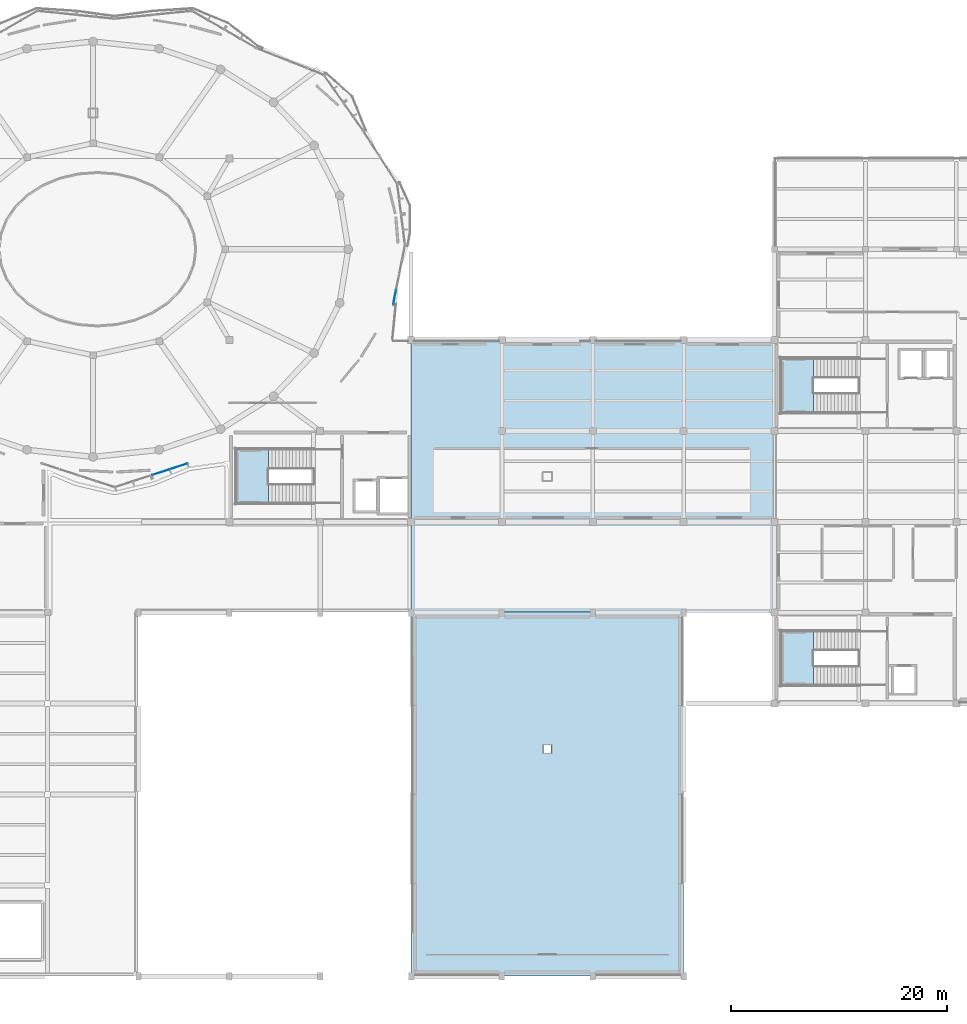
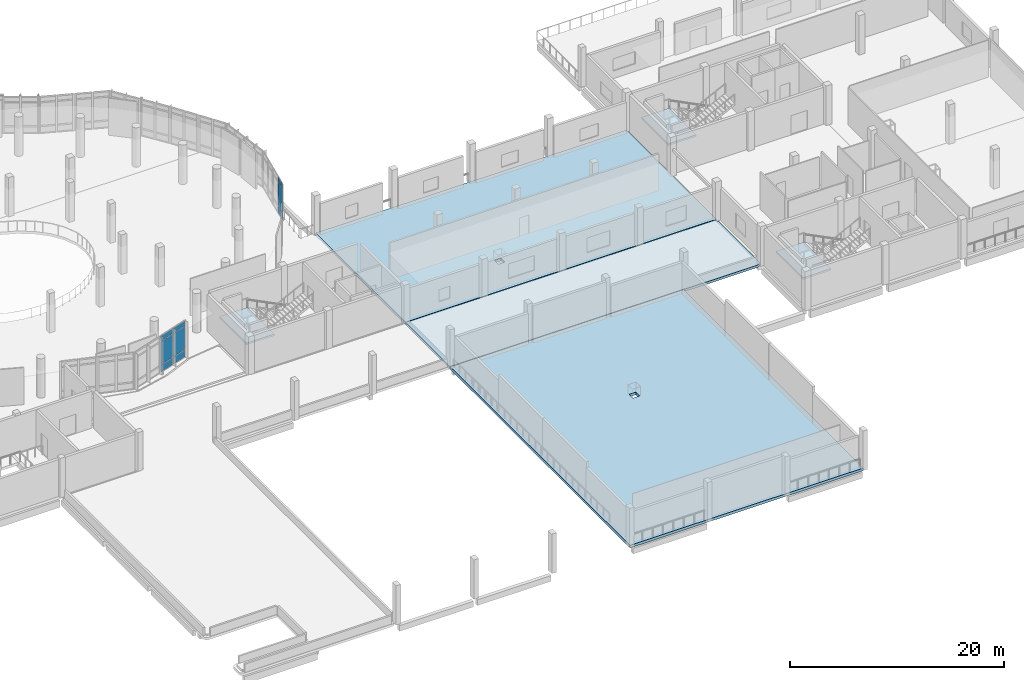
# One storey, part 22 of 46: 9 plates, 6 slabs, 5 elements without a shape of their own.
"""IFC4 building model written with IfcOpenShell, lengths in metres."""

import ifcopenshell
import ifcopenshell.guid

model = None  # the IFC model being written
_history = None  # IfcOwnerHistory: only IFC2X3 demands one
_inside = {}  # id of a spatial element -> (the spatial element, [elements in it])
_under = {}  # id of a project, library or spatial element -> (it, [spatial elements below it])
_declared = {}  # id of a project -> (the project, [libraries it declares])
_typed = {}  # id of a type object -> (the type object, [elements of that type])
_made_of = {}  # id of a material, layer set ... -> (it, [elements and type objects made of it])


def new_model(schema):
    """Start an empty IFC model of exactly this schema.

    Asked for "IFC4X3", IfcOpenShell would pick the latest addendum, in which some entities
    have other attributes; the version numbers below select the first issue.
    IFC2X3 requires an IfcOwnerHistory on every rooted entity: one is made here for all.
    """
    global model, _history
    if schema == "IFC4X3":
        model = ifcopenshell.file(schema_version=(4, 3, 0, 0))
    else:
        model = ifcopenshell.file(schema=schema)
    _inside.clear()
    _under.clear()
    _declared.clear()
    _typed.clear()
    _made_of.clear()
    _history = None
    if model.schema == "IFC2X3":
        org = make("IfcOrganization", Name="unknown")
        user = make(
            "IfcPersonAndOrganization",
            ThePerson=make("IfcPerson", FamilyName="unknown"),
            TheOrganization=org,
        )
        app = make(
            "IfcApplication",
            ApplicationDeveloper=org,
            Version="unknown",
            ApplicationFullName="unknown",
            ApplicationIdentifier="unknown",
        )
        _history = make(
            "IfcOwnerHistory",
            OwningUser=user,
            OwningApplication=app,
            ChangeAction="ADDED",
            CreationDate=0,
        )
    return model


def make(cls, **values):
    """One entity of the class cls with the attributes given. An attribute that is None is left unset."""
    return model.create_entity(
        cls, **{name: value for name, value in values.items() if value is not None}
    )


def rooted(cls, **values):
    """An entity with a GlobalId (a new one), such as an element, a storey or a relation."""
    return make(cls, GlobalId=ifcopenshell.guid.new(), OwnerHistory=_history, **values)


def si_unit(unit_type, name, prefix=None):
    """IfcSIUnit, for example si_unit("LENGTHUNIT", "METRE", prefix="MILLI")."""
    return make("IfcSIUnit", UnitType=unit_type, Prefix=prefix, Name=name)


def derived_unit(unit_type, elements):
    """IfcDerivedUnit: a product of units, each with its exponent."""
    return make(
        "IfcDerivedUnit",
        Elements=[
            make("IfcDerivedUnitElement", Unit=unit, Exponent=power)
            for unit, power in elements
        ],
        UnitType=unit_type,
    )


def assignment(units):
    """IfcUnitAssignment: the units of a project."""
    return None if units is None else make("IfcUnitAssignment", Units=units)


def point(xyz):
    """IfcCartesianPoint."""
    return None if xyz is None else make("IfcCartesianPoint", Coordinates=xyz)


def direction(xyz):
    """IfcDirection."""
    return None if xyz is None else make("IfcDirection", DirectionRatios=xyz)


def frame(location, z_axis=None, x_axis=None):
    """IfcAxis2Placement3D, a coordinate frame: its origin and axes. An axis left out is left unset."""
    return make(
        "IfcAxis2Placement3D",
        Location=point(location),
        Axis=direction(z_axis),
        RefDirection=direction(x_axis),
    )


def frame_2d(location, x_axis=None):
    """IfcAxis2Placement2D, a coordinate frame in the plane: its origin and x axis."""
    return make(
        "IfcAxis2Placement2D", Location=point(location), RefDirection=direction(x_axis)
    )


def origin():
    """The frame at (0, 0, 0) with its axes left unset."""
    return frame((0.0, 0.0, 0.0))


def origin_2d():
    """The frame at (0, 0) in the plane with its x axis left unset."""
    return frame_2d((0.0, 0.0))


def place(relative_to, where):
    """IfcLocalPlacement: puts the frame where relative to a parent placement (None: the world)."""
    return make(
        "IfcLocalPlacement", PlacementRelTo=relative_to, RelativePlacement=where
    )


def context(
    kind, dimensions, precision=None, world=None, true_north=None, identifier=None
):
    """IfcGeometricRepresentationContext, for example the 3D "Model" context."""
    return make(
        "IfcGeometricRepresentationContext",
        ContextIdentifier=identifier,
        ContextType=kind,
        CoordinateSpaceDimension=dimensions,
        Precision=precision,
        WorldCoordinateSystem=world,
        TrueNorth=true_north,
    )


def subcontext(parent, identifier, kind, view, scale=None):
    """IfcGeometricRepresentationSubContext, for example "Body" below "Model"."""
    return make(
        "IfcGeometricRepresentationSubContext",
        ContextIdentifier=identifier,
        ContextType=kind,
        ParentContext=parent,
        TargetScale=scale,
        TargetView=view,
    )


def project(units=None, contexts=None):
    """IfcProject with its units and contexts."""
    return rooted(
        "IfcProject",
        Name="project",
        RepresentationContexts=contexts,
        UnitsInContext=assignment(units),
    )


def spatial(cls, under=None, at=None, **own):
    """A site, building, storey or space (cls), placed at a placement, below another one or the project."""
    s = rooted(cls, ObjectPlacement=at, **own)
    if under is not None:
        _under.setdefault(under.id(), (under, []))[1].append(s)
    return s


def polyline(points):
    """IfcPolyline through the points."""
    return make("IfcPolyline", Points=[point(p) for p in points])


def profile(cls, at=None, kind="AREA", **sizes):
    """A parametric profile (cls). Its sizes go by their IFC names, for example OverallWidth=200.0."""
    return make(cls, ProfileType=kind, Position=at, **sizes)


def rectangle(**sizes):
    """IfcRectangleProfileDef."""
    return profile("IfcRectangleProfileDef", **sizes)


def outline(outer, holes=None, kind="AREA"):
    """IfcArbitraryClosedProfileDef: a profile drawn as a closed curve; with holes, ...WithVoids."""
    if holes is None:
        return make("IfcArbitraryClosedProfileDef", ProfileType=kind, OuterCurve=outer)
    return make(
        "IfcArbitraryProfileDefWithVoids",
        ProfileType=kind,
        OuterCurve=outer,
        InnerCurves=holes,
    )


def extrude(swept, where, along, depth):
    """IfcExtrudedAreaSolid: the profile swept, set in the frame where, extruded along a direction by depth."""
    return make(
        "IfcExtrudedAreaSolid",
        SweptArea=swept,
        Position=where,
        ExtrudedDirection=direction(along),
        Depth=depth,
    )


def shape(context_of_items, identifier, shape_type, items):
    """IfcShapeRepresentation: the items that make up one representation, for example the "Body"."""
    return make(
        "IfcShapeRepresentation",
        ContextOfItems=context_of_items,
        RepresentationIdentifier=identifier,
        RepresentationType=shape_type,
        Items=items,
    )


def material(Name=None, Category=None):
    """IfcMaterial."""
    return make("IfcMaterial", Name=Name, Category=Category)


def layer(
    of_material, thickness, ventilated=None, Name=None, Category=None, Priority=None
):
    """IfcMaterialLayer: one layer of a wall or slab, of a material (None: an air gap)."""
    return make(
        "IfcMaterialLayer",
        Material=of_material,
        LayerThickness=thickness,
        IsVentilated=ventilated,
        Name=Name,
        Category=Category,
        Priority=Priority,
    )


def layer_set(layers, Name=None):
    """IfcMaterialLayerSet."""
    return make("IfcMaterialLayerSet", MaterialLayers=layers, LayerSetName=Name)


def made_of(thing, what):
    """Note that an element or type object is made of a material, layer set ...; save() writes the relation."""
    if what is not None:
        _made_of.setdefault(what.id(), (what, []))[1].append(thing)
    return thing


def type_object(cls, material=None, **own):
    """A type object (cls), such as IfcWallType, which elements share."""
    return made_of(rooted(cls, **own), material)


def element(
    cls,
    number,
    at=None,
    inside=None,
    cuts=None,
    type_object=None,
    material=None,
    context=None,
    identifier="Body",
    shape_type=None,
    held_by="IfcProductDefinitionShape",
    body=None,
    shapes=None,
    **own,
):
    """One element of the class cls, such as IfcWall. Its Tag is "e" and its number.

    at: its placement. inside: the storey or other place that contains it. cuts: it is an
    opening in that element (IfcRelVoidsElement). A single representation is given by context,
    identifier, shape_type and body (its items); several are given by shapes. held_by: the class
    of the entity that holds the representations. save() writes the other relations.
    """
    e = rooted(cls, Tag="e%d" % number, ObjectPlacement=at, **own)
    if body is not None:
        shapes = [shape(context, identifier, shape_type, body)]
    if shapes is not None:
        e.Representation = make(held_by, Representations=shapes)
    if inside is not None:
        _inside.setdefault(inside.id(), (inside, []))[1].append(e)
    if cuts is not None:
        rooted(
            "IfcRelVoidsElement", RelatingBuildingElement=cuts, RelatedOpeningElement=e
        )
    if type_object is not None:
        _typed.setdefault(type_object.id(), (type_object, []))[1].append(e)
    return made_of(e, material)


def aggregate(whole, parts):
    """IfcRelAggregates: a whole, such as a stair, and the parts it consists of."""
    return rooted("IfcRelAggregates", RelatingObject=whole, RelatedObjects=parts)


def save(model, path):
    """Write the relations noted so far, then the file.

    IfcRelAggregates (storeys below a building ...), IfcRelContainedInSpatialStructure (elements
    in a storey), IfcRelDefinesByType, IfcRelAssociatesMaterial and IfcRelDeclares: one each for
    every whole, place, type object, material and project.
    """
    for whole, parts in _under.values():
        aggregate(whole, parts)
    for where, things in _inside.values():
        rooted(
            "IfcRelContainedInSpatialStructure",
            RelatedElements=things,
            RelatingStructure=where,
        )
    for kind, things in _typed.values():
        rooted("IfcRelDefinesByType", RelatedObjects=things, RelatingType=kind)
    for what, things in _made_of.values():
        rooted("IfcRelAssociatesMaterial", RelatedObjects=things, RelatingMaterial=what)
    for by, libraries in _declared.values():
        rooted("IfcRelDeclares", RelatingContext=by, RelatedDefinitions=libraries)
    model.write(path)


model = new_model("IFC4")

# Units and contexts
model_context = context("Model", 3, precision=1e-05, world=origin(), true_north=direction((0.0, 1.0)))
body_context = subcontext(model_context, "Body", "Model", "MODEL_VIEW")
ifc_project = project(units=[si_unit("LENGTHUNIT", "METRE"), si_unit("AREAUNIT", "SQUARE_METRE"), si_unit("VOLUMEUNIT", "CUBIC_METRE"), si_unit("PLANEANGLEUNIT", "RADIAN"), si_unit("MASSUNIT", "GRAM", prefix="KILO"), derived_unit("THERMALTRANSMITTANCEUNIT", [(si_unit("POWERUNIT", "WATT"), 1), (si_unit("LENGTHUNIT", "METRE"), -2), (si_unit("THERMODYNAMICTEMPERATUREUNIT", "KELVIN"), -1)])], contexts=[model_context])

# Site, building, storey
site_placement = place(None, origin())
site = spatial("IfcSite", under=ifc_project, at=site_placement, CompositionType="ELEMENT")
building_placement = place(site_placement, origin())
building = spatial("IfcBuilding", under=site, at=building_placement, Name="Elbkamm Science Centre", CompositionType="ELEMENT")
storey_placement = place(building_placement, frame((0.0, 0.0, 9.89990234375)))
storey = spatial("IfcBuildingStorey", under=building, at=storey_placement, Name="L02", CompositionType="ELEMENT", Elevation=9.89990234375)

# Curtain wall, plates
ifc_material_1 = material(Name="Powder-coated aluminium and triple low-E glazing", Category="aluminium")
ifc_layer_1 = layer(ifc_material_1, 0.159912109375)
ifc_layer_set_1 = layer_set([ifc_layer_1], Name="Powder-coated aluminium and triple low-E glazing")
curtain_wall_type_1 = type_object("IfcCurtainWallType", Name="CW-UNIT-3520x4220", PredefinedType="USERDEFINED", material=ifc_layer_set_1)
curtain_wall_1_placement = place(storey_placement, origin())
curtain_wall_1 = element("IfcCurtainWall", 1, at=curtain_wall_1_placement, inside=storey, type_object=curtain_wall_type_1, Name="L02 Unitised Curtain Wall 043", ObjectType="UNITISED CURTAIN WALL", PredefinedType="USERDEFINED")
ifc_material_2 = material(Name="Triple solar-control insulated safety glass", Category="glass")
ifc_layer_2 = layer(ifc_material_2, 0.0400390625)
ifc_layer_set_2 = layer_set([ifc_layer_2], Name="Triple solar-control insulated safety glass")
plate_type = type_object("IfcPlateType", Name="CW-PNL-40", PredefinedType="CURTAIN_PANEL", material=ifc_layer_set_2)
plate_1_placement = place(storey_placement, frame((69.269775390625, 46.583984375, 0.070068359375), z_axis=(0.0, 0.0, 1.0), x_axis=(0.950616762236, 0.31036715573, 0.0)))
plate_1 = element("IfcPlate", 2, at=plate_1_placement, type_object=plate_type, Name="CW-018 panel 1.1", PredefinedType="CURTAIN_PANEL", context=body_context, shape_type="SweptSolid", body=[
    extrude(rectangle(XDim=1.652587890625, YDim=0.0400390625, at=origin_2d()), origin(), (0.0, 0.0, 1.0), 0.7451171875),
])
plate_2_placement = place(storey_placement, frame((69.269775390625, 46.583984375, 0.88525390625), z_axis=(0.0, 0.0, 1.0), x_axis=(0.950616762236, 0.31036715573, 0.0)))
plate_2 = element("IfcPlate", 3, at=plate_2_placement, type_object=plate_type, Name="CW-018 panel 1.2", PredefinedType="CURTAIN_PANEL", context=body_context, shape_type="SweptSolid", body=[
    extrude(rectangle(XDim=1.652587890625, YDim=0.0400390625, at=origin_2d()), origin(), (0.0, 0.0, 1.0), 2.64990234375),
])
plate_3_placement = place(storey_placement, frame((69.269775390625, 46.583984375, 3.605224609375), z_axis=(0.0, 0.0, 1.0), x_axis=(0.950616762236, 0.31036715573, 0.0)))
plate_3 = element("IfcPlate", 4, at=plate_3_placement, type_object=plate_type, Name="CW-018 panel 1.3", PredefinedType="CURTAIN_PANEL", context=body_context, shape_type="SweptSolid", body=[
    extrude(rectangle(XDim=1.652587890625, YDim=0.0400390625, at=origin_2d()), origin(), (0.0, 0.0, 1.0), 0.544921875),
])
plate_4_placement = place(storey_placement, frame((70.9072265625, 47.11865234375, 0.070068359375), z_axis=(0.0, 0.0, 1.0), x_axis=(0.950616762236, 0.31036715573, 0.0)))
plate_4 = element("IfcPlate", 5, at=plate_4_placement, type_object=plate_type, Name="CW-018 panel 2.1", PredefinedType="CURTAIN_PANEL", context=body_context, shape_type="SweptSolid", body=[
    extrude(rectangle(XDim=1.652587890625, YDim=0.0400390625, at=origin_2d()), origin(), (0.0, 0.0, 1.0), 0.7451171875),
])
plate_5_placement = place(storey_placement, frame((70.9072265625, 47.11865234375, 0.88525390625), z_axis=(0.0, 0.0, 1.0), x_axis=(0.950616762236, 0.31036715573, 0.0)))
plate_5 = element("IfcPlate", 6, at=plate_5_placement, type_object=plate_type, Name="CW-018 panel 2.2", PredefinedType="CURTAIN_PANEL", context=body_context, shape_type="SweptSolid", body=[
    extrude(rectangle(XDim=1.652587890625, YDim=0.0400390625, at=origin_2d()), origin(), (0.0, 0.0, 1.0), 2.64990234375),
])
plate_6_placement = place(storey_placement, frame((70.9072265625, 47.11865234375, 3.605224609375), z_axis=(0.0, 0.0, 1.0), x_axis=(0.950616762236, 0.31036715573, 0.0)))
plate_6 = element("IfcPlate", 7, at=plate_6_placement, type_object=plate_type, Name="CW-018 panel 2.3", PredefinedType="CURTAIN_PANEL", context=body_context, shape_type="SweptSolid", body=[
    extrude(rectangle(XDim=1.652587890625, YDim=0.0400390625, at=origin_2d()), origin(), (0.0, 0.0, 1.0), 0.544921875),
])
aggregate(curtain_wall_1, [plate_1, plate_2, plate_3, plate_4, plate_5, plate_6])

ifc_layer_3 = layer(ifc_material_1, 0.159912109375)
ifc_layer_set_3 = layer_set([ifc_layer_3], Name="Powder-coated aluminium and triple low-E glazing")
curtain_wall_type_2 = type_object("IfcCurtainWallType", Name="CW-UNIT-2800x4220", PredefinedType="USERDEFINED", material=ifc_layer_set_3)
curtain_wall_2_placement = place(storey_placement, origin())
curtain_wall_2 = element("IfcCurtainWall", 8, at=curtain_wall_2_placement, inside=storey, type_object=curtain_wall_type_2, Name="L02 Unitised Curtain Wall 044", ObjectType="UNITISED CURTAIN WALL", PredefinedType="USERDEFINED")
plate_7_placement = place(storey_placement, frame((90.884765625, 62.7490234375, 0.070068359375), z_axis=(0.0, 0.0, 1.0), x_axis=(0.195151282054, 0.980773152728, 0.0)))
plate_7 = element("IfcPlate", 9, at=plate_7_placement, type_object=plate_type, Name="CW-019 panel 1.1", PredefinedType="CURTAIN_PANEL", context=body_context, shape_type="SweptSolid", body=[
    extrude(rectangle(XDim=1.290283203125, YDim=0.0400390625, at=origin_2d()), origin(), (0.0, 0.0, 1.0), 0.7451171875),
])
plate_8_placement = place(storey_placement, frame((90.884765625, 62.7490234375, 0.88525390625), z_axis=(0.0, 0.0, 1.0), x_axis=(0.195151282054, 0.980773152728, 0.0)))
plate_8 = element("IfcPlate", 10, at=plate_8_placement, type_object=plate_type, Name="CW-019 panel 1.2", PredefinedType="CURTAIN_PANEL", context=body_context, shape_type="SweptSolid", body=[
    extrude(rectangle(XDim=1.290283203125, YDim=0.0400390625, at=origin_2d()), origin(), (0.0, 0.0, 1.0), 2.64990234375),
])
plate_9_placement = place(storey_placement, frame((90.884765625, 62.7490234375, 3.605224609375), z_axis=(0.0, 0.0, 1.0), x_axis=(0.195151282054, 0.980773152728, 0.0)))
plate_9 = element("IfcPlate", 11, at=plate_9_placement, type_object=plate_type, Name="CW-019 panel 1.3", PredefinedType="CURTAIN_PANEL", context=body_context, shape_type="SweptSolid", body=[
    extrude(rectangle(XDim=1.290283203125, YDim=0.0400390625, at=origin_2d()), origin(), (0.0, 0.0, 1.0), 0.544921875),
])
aggregate(curtain_wall_2, [plate_7, plate_8, plate_9])

# Slabs
ifc_material_3 = material(Name="Reinforced concrete C40/50", Category="concrete")
ifc_layer_4 = layer(ifc_material_3, 0.300048828125)
ifc_layer_set_4 = layer_set([ifc_layer_4], Name="Reinforced concrete C40/50")
slab_type_1 = type_object("IfcSlabType", Name="SLAB-FLR-300", PredefinedType="FLOOR", material=ifc_layer_set_4)
slab_1_placement = place(storey_placement, frame((0.0, 0.0, -0.2998046875)))
element("IfcSlab", 12, at=slab_1_placement, inside=storey, type_object=slab_type_1, Name="L02 Structural Slab MS-06", PredefinedType="FLOOR", context=body_context, shape_type="SweptSolid", body=[
    extrude(outline(polyline([(92.39990234375, 29.39990234375), (92.39990234375, 33.60009765625), (117.60009765625, 33.60009765625), (117.60009765625, 0.0), (92.39990234375, 0.0), (92.39990234375, 4.199951171875), (92.39990234375, 29.39990234375)]), holes=[polyline([(105.35009765625, 21.35009765625), (104.64990234375, 21.35009765625), (104.64990234375, 20.64990234375), (105.35009765625, 20.64990234375), (105.35009765625, 21.35009765625)])]), origin(), (0.0, 0.0, 1.0), 0.2998046875),
])
slab_2_placement = place(storey_placement, frame((0.0, 0.0, -0.2998046875)))
element("IfcSlab", 13, at=slab_2_placement, inside=storey, type_object=slab_type_1, Name="L02 Structural Slab MM-07", PredefinedType="FLOOR", context=body_context, shape_type="SweptSolid", body=[
    extrude(outline(polyline([(125.97509765625, 42.0), (92.39990234375, 42.0), (92.39990234375, 58.800048828125), (125.97509765625, 58.800048828125), (125.97509765625, 42.0)]), holes=[polyline([(105.35009765625, 46.550048828125), (104.64990234375, 46.550048828125), (104.64990234375, 45.85009765625), (105.35009765625, 45.85009765625), (105.35009765625, 46.550048828125)])]), origin(), (0.0, 0.0, 1.0), 0.2998046875),
])

# Stair, slab
stair_type = type_object("IfcStairType", Name="ST-TWO-28R-182", PredefinedType="USERDEFINED", material=ifc_material_3)
stair_1_placement = place(storey_placement, origin())
stair_1 = element("IfcStair", 14, at=stair_1_placement, inside=storey, type_object=stair_type, Name="L02 Core C2 Central Exhibition and Skybridge Core Escape Stair", ObjectType="TWO_RETURN_STAIR", PredefinedType="USERDEFINED")
ifc_layer_5 = layer(ifc_material_3, 0.199951171875)
ifc_layer_set_5 = layer_set([ifc_layer_5], Name="Reinforced concrete C40/50")
slab_type_2 = type_object("IfcSlabType", Name="SLAB-LAND-200", PredefinedType="LANDING", material=ifc_layer_set_5)
slab_3_placement = place(storey_placement, frame((0.0, 0.0, 2.050048828125)))
slab_3 = element("IfcSlab", 15, at=slab_3_placement, type_object=slab_type_2, Name="ST-C2 landing 1", PredefinedType="LANDING", context=body_context, shape_type="SweptSolid", body=[
    extrude(outline(polyline([(79.219970703125, 48.719970703125), (76.199951171875, 48.719970703125), (76.199951171875, 43.679931640625), (79.219970703125, 43.679931640625), (79.219970703125, 48.719970703125)])), origin(), (0.0, 0.0, 1.0), 0.199951171875),
])
aggregate(stair_1, [slab_3])

stair_2_placement = place(storey_placement, origin())
stair_2 = element("IfcStair", 16, at=stair_2_placement, inside=storey, type_object=stair_type, Name="L02 Core C3 Northeast Laboratories and Observatory Core Escape Stair", ObjectType="TWO_RETURN_STAIR", PredefinedType="USERDEFINED")
slab_4_placement = place(storey_placement, frame((0.0, 0.0, 2.050048828125)))
slab_4 = element("IfcSlab", 17, at=slab_4_placement, type_object=slab_type_2, Name="ST-C3 landing 1", PredefinedType="LANDING", context=body_context, shape_type="SweptSolid", body=[
    extrude(outline(polyline([(129.6201171875, 57.1201171875), (126.60009765625, 57.1201171875), (126.60009765625, 52.080078125), (129.6201171875, 52.080078125), (129.6201171875, 57.1201171875)])), origin(), (0.0, 0.0, 1.0), 0.199951171875),
])
aggregate(stair_2, [slab_4])

stair_3_placement = place(storey_placement, origin())
stair_3 = element("IfcStair", 18, at=stair_3_placement, inside=storey, type_object=stair_type, Name="L02 Core C4 Southeast Workshops and Library Core Escape Stair", ObjectType="TWO_RETURN_STAIR", PredefinedType="USERDEFINED")
slab_5_placement = place(storey_placement, frame((0.0, 0.0, 2.050048828125)))
slab_5 = element("IfcSlab", 19, at=slab_5_placement, type_object=slab_type_2, Name="ST-C4 landing 1", PredefinedType="LANDING", context=body_context, shape_type="SweptSolid", body=[
    extrude(outline(polyline([(129.6201171875, 31.919921875), (126.60009765625, 31.919921875), (126.60009765625, 26.8798828125), (129.6201171875, 26.8798828125), (129.6201171875, 31.919921875)])), origin(), (0.0, 0.0, 1.0), 0.199951171875),
])
aggregate(stair_3, [slab_5])

# Slab
ifc_layer_6 = layer(ifc_material_3, 0.27001953125)
ifc_layer_set_6 = layer_set([ifc_layer_6], Name="Reinforced concrete C40/50")
slab_type_3 = type_object("IfcSlabType", Name="SLAB-ROOF-270", PredefinedType="ROOF", material=ifc_layer_set_6)
slab_6_placement = place(storey_placement, frame((0.0, 0.0, -0.27001953125)))
element("IfcSlab", 20, at=slab_6_placement, inside=storey, type_object=slab_type_3, Name="L02 Step-Back Roof Slab 03", PredefinedType="ROOF", context=body_context, shape_type="SweptSolid", body=[
    extrude(outline(polyline([(92.409912109375, 41.900390625), (92.41943359375, 41.90185546875), (92.428955078125, 41.904296875), (92.438232421875, 41.90771484375), (92.447021484375, 41.911865234375), (92.45556640625, 41.9169921875), (92.455810546875, 41.9169921875), (92.495361328125, 41.935791015625), (92.537109375, 41.95068359375), (92.579833984375, 41.96142578125), (92.62353515625, 41.9677734375), (92.66748046875, 41.969970703125), (125.52001953125, 41.969970703125), (125.564208984375, 41.9677734375), (125.60791015625, 41.96142578125), (125.650634765625, 41.95068359375), (125.692138671875, 41.935791015625), (125.732177734375, 41.9169921875), (125.77001953125, 41.894287109375), (125.805419921875, 41.867919921875), (125.838134765625, 41.838134765625), (125.867919921875, 41.805419921875), (125.894287109375, 41.77001953125), (125.9169921875, 41.732177734375), (125.935791015625, 41.692138671875), (125.95068359375, 41.650634765625), (125.96142578125, 41.60791015625), (125.9677734375, 41.564208984375), (125.969970703125, 41.52001953125), (125.969970703125, 34.050048828125), (125.9677734375, 34.005859375), (125.96142578125, 33.962158203125), (125.95068359375, 33.91943359375), (125.935791015625, 33.877685546875), (125.9169921875, 33.837890625), (125.894287109375, 33.800048828125), (125.867919921875, 33.764404296875), (125.838134765625, 33.731689453125), (125.805419921875, 33.7021484375), (125.77001953125, 33.67578125), (125.732177734375, 33.653076171875), (125.692138671875, 33.63427734375), (125.650634765625, 33.619384765625), (125.60791015625, 33.608642578125), (125.564208984375, 33.602294921875), (125.52001953125, 33.60009765625), (117.817626953125, 33.60009765625), (117.776611328125, 33.601806640625), (117.736083984375, 33.607421875), (117.6962890625, 33.61669921875), (117.6572265625, 33.62939453125), (117.639404296875, 33.63720703125), (117.639404296875, 33.63720703125), (117.625244140625, 33.64306640625), (117.62353515625, 33.64404296875), (117.619140625, 33.646240234375), (117.614501953125, 33.647705078125), (117.60986328125, 33.64892578125), (117.60498046875, 33.64990234375), (117.60009765625, 33.64990234375), (117.594482421875, 33.64990234375), (92.39990234375, 33.64990234375), (92.39990234375, 41.89990234375), (92.409912109375, 41.900390625)])), origin(), (0.0, 0.0, 1.0), 0.27001953125),
])

save(model, "model.ifc")
